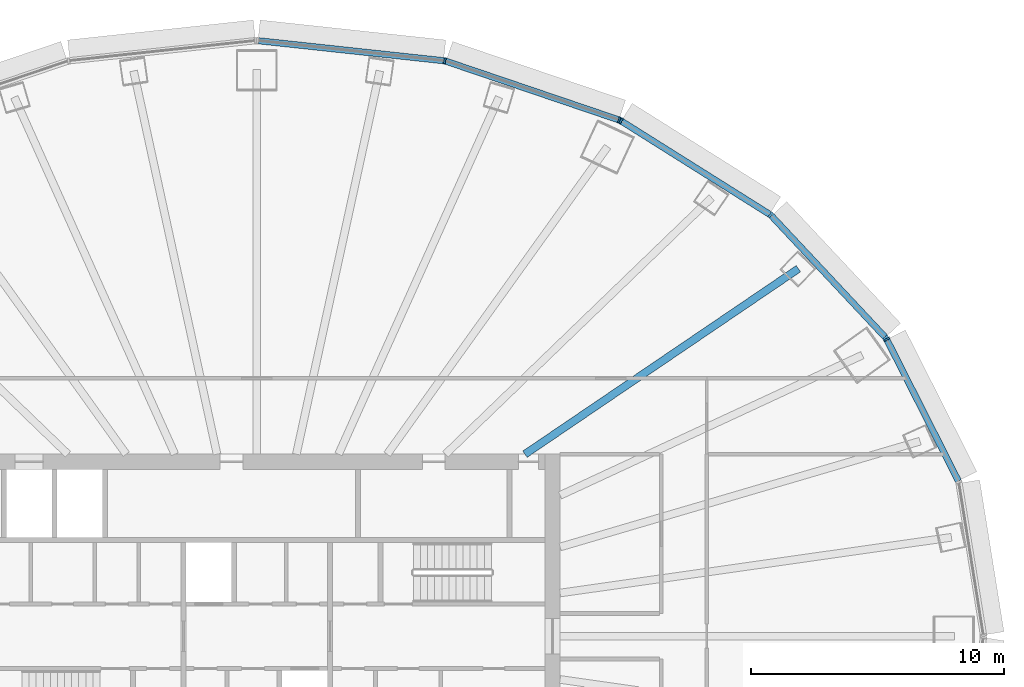
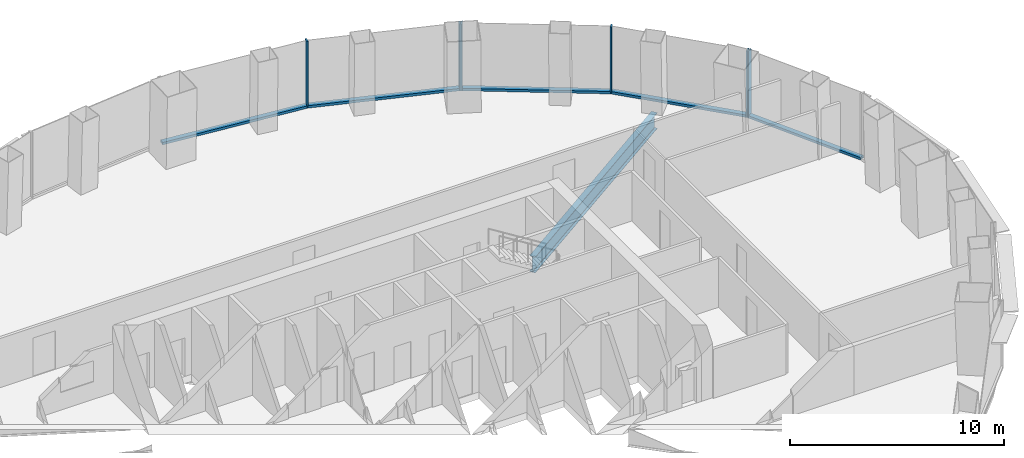
# One storey, part 5 of 13: 11 members, 1 beam, 3 elements without a shape of their own.
"""IFC4 building model written with IfcOpenShell, lengths in metres."""

from ifc_helpers import new_model, si_unit, direction, frame, origin, origin_2d, place, context, subcontext, project, spatial, rectangle, i_section, extrude, material, layer, layer_set, material_profile, profile_set, type_object, element, aggregate, save


model = new_model("IFC4")

# Units and contexts
model_context = context("Model", 3, precision=1e-05, world=origin(), true_north=direction((0.0, 1.0)))
body_context = subcontext(model_context, "Body", "Model", "MODEL_VIEW")
ifc_project = project(units=[si_unit("LENGTHUNIT", "METRE"), si_unit("AREAUNIT", "SQUARE_METRE"), si_unit("VOLUMEUNIT", "CUBIC_METRE"), si_unit("PLANEANGLEUNIT", "RADIAN"), si_unit("MASSUNIT", "GRAM", prefix="KILO")], contexts=[model_context])

# Site, building, storey
site_placement = place(None, origin())
site = spatial("IfcSite", under=ifc_project, at=site_placement, CompositionType="ELEMENT")
building_placement = place(site_placement, origin())
building = spatial("IfcBuilding", under=site, at=building_placement, Name="Siaravel Broadcast Tower", CompositionType="ELEMENT")
storey_placement = place(building_placement, frame((0.0, 0.0, 24.5)))
storey = spatial("IfcBuildingStorey", under=building, at=storey_placement, Name="L04", CompositionType="ELEMENT", Elevation=24.5)

# Beam
ifc_material_1 = material(Name="Steel S355", Category="steel")
ifc_material_profile_1 = material_profile(ifc_material_1, i_section(OverallWidth=0.30322265625, OverallDepth=0.903076171875, WebThickness=0.01513671875, FlangeThickness=0.020263671875, FilletRadius=0.01904296875, at=origin_2d()))
ifc_profile_set_1 = profile_set([ifc_material_profile_1], Name="Steel S355")
beam_type = type_object("IfcBeamType", Name="BM-UB 914x305x201", PredefinedType="BEAM", material=ifc_profile_set_1)
beam_placement = place(storey_placement, frame((21.42236328125, 14.535400390625, -0.651611328125), z_axis=(-0.82749748, -0.56146943, 0.0), x_axis=(0.56146943, -0.82749748, 0.0)))
element("IfcBeam", 1, at=beam_placement, inside=storey, type_object=beam_type, Name="Radial beam RB05", PredefinedType="BEAM", context=body_context, shape_type="SweptSolid", body=[
    extrude(i_section(OverallWidth=0.30322265625, OverallDepth=0.903076171875, WebThickness=0.01513671875, FlangeThickness=0.020263671875, FilletRadius=0.01904296875, at=origin_2d()), origin(), (0.0, 0.0, 1.0), 13.064697265625),
])

# Curtain wall, member
ifc_material_2 = material(Name="Aluminium 6063-T6", Category="aluminium")
ifc_layer = layer(ifc_material_2, 0.25)
ifc_layer_set = layer_set([ifc_layer], Name="Aluminium 6063-T6")
curtain_wall_type = type_object("IfcCurtainWallType", Name="Podium newsroom glazing", PredefinedType="NOTDEFINED", material=ifc_layer_set)
curtain_wall_1_placement = place(storey_placement, origin())
curtain_wall_1 = element("IfcCurtainWall", 2, at=curtain_wall_1_placement, inside=storey, type_object=curtain_wall_type, Name="L04 Podium newsroom glazing 01", PredefinedType="NOTDEFINED")
ifc_material_profile_2 = material_profile(ifc_material_2, rectangle(XDim=0.25, YDim=0.080078125, at=origin_2d()))
ifc_profile_set_2 = profile_set([ifc_material_profile_2], Name="Aluminium 6063-T6")
member_type_1 = type_object("IfcMemberType", Name="CW-PD mullion", PredefinedType="MULLION", material=ifc_profile_set_2)
member_1_placement = place(storey_placement, frame((24.913330078125, 11.747314453125, 0.0), z_axis=(0.0, 0.0, 1.0), x_axis=(-0.892391539, -0.451261943, 0.0)))
member_1 = element("IfcMember", 3, at=member_1_placement, type_object=member_type_1, Name="CW-PD mullion 3", PredefinedType="MULLION", context=body_context, shape_type="SweptSolid", body=[
    extrude(rectangle(XDim=0.25, YDim=0.080078125, at=origin_2d()), origin(), (0.0, 0.0, 1.0), 3.800048828125),
])

# Curtain wall, members
curtain_wall_2_placement = place(storey_placement, origin())
curtain_wall_2 = element("IfcCurtainWall", 4, at=curtain_wall_2_placement, inside=storey, type_object=curtain_wall_type, Name="L04 Podium newsroom glazing 02", PredefinedType="NOTDEFINED")
member_2_placement = place(storey_placement, frame((24.867919921875, 11.81201171875, 0.0), z_axis=(0.0, 0.0, 1.0), x_axis=(-0.729804459, -0.683655945, 0.0)))
member_2 = element("IfcMember", 5, at=member_2_placement, type_object=member_type_1, Name="CW-PD mullion 1", PredefinedType="MULLION", context=body_context, shape_type="SweptSolid", body=[
    extrude(rectangle(XDim=0.25, YDim=0.080078125, at=origin_2d()), origin(), (0.0, 0.0, 1.0), 3.800048828125),
])
member_3_placement = place(storey_placement, frame((20.3251953125, 16.661376953125, 0.0), z_axis=(0.0, 0.0, 1.0), x_axis=(-0.6362179, -0.771509419, 0.0)))
member_3 = element("IfcMember", 6, at=member_3_placement, type_object=member_type_1, Name="CW-PD mullion 2", PredefinedType="MULLION", context=body_context, shape_type="SweptSolid", body=[
    extrude(rectangle(XDim=0.25, YDim=0.080078125, at=origin_2d()), origin(), (0.0, 0.0, 1.0), 3.800048828125),
])
member_4_placement = place(storey_placement, frame((14.405029296875, 20.382568359375, 0.0), z_axis=(0.0, 0.0, 1.0), x_axis=(-0.532148584, -0.846650982, 0.0)))
member_4 = element("IfcMember", 7, at=member_4_placement, type_object=member_type_1, Name="CW-PD mullion 3", PredefinedType="MULLION", context=body_context, shape_type="SweptSolid", body=[
    extrude(rectangle(XDim=0.25, YDim=0.080078125, at=origin_2d()), origin(), (0.0, 0.0, 1.0), 3.800048828125),
])

curtain_wall_3_placement = place(storey_placement, origin())
curtain_wall_3 = element("IfcCurtainWall", 8, at=curtain_wall_3_placement, inside=storey, type_object=curtain_wall_type, Name="L04 Podium newsroom glazing 03", PredefinedType="NOTDEFINED")
member_5_placement = place(storey_placement, frame((14.333251953125, 20.416748046875, 0.0), z_axis=(0.0, 0.0, 1.0), x_axis=(-0.321300254, -0.946977374, 0.0)))
member_5 = element("IfcMember", 9, at=member_5_placement, type_object=member_type_1, Name="CW-PD mullion 1", PredefinedType="MULLION", context=body_context, shape_type="SweptSolid", body=[
    extrude(rectangle(XDim=0.25, YDim=0.080078125, at=origin_2d()), origin(), (0.0, 0.0, 1.0), 3.800048828125),
])
member_6_placement = place(storey_placement, frame((7.438720703125, 22.755859375, 0.0), z_axis=(0.0, 0.0, 1.0), x_axis=(-0.215557821, -0.976491078, 0.0)))
member_6 = element("IfcMember", 10, at=member_6_placement, type_object=member_type_1, Name="CW-PD mullion 2", PredefinedType="MULLION", context=body_context, shape_type="SweptSolid", body=[
    extrude(rectangle(XDim=0.25, YDim=0.080078125, at=origin_2d()), origin(), (0.0, 0.0, 1.0), 3.800048828125),
])

# Member
ifc_material_profile_3 = material_profile(ifc_material_2, rectangle(XDim=0.25, YDim=0.139892578125, at=origin_2d()))
ifc_profile_set_3 = profile_set([ifc_material_profile_3], Name="Aluminium 6063-T6")
member_type_2 = type_object("IfcMemberType", Name="CW-PD transom", PredefinedType="USERDEFINED", material=ifc_profile_set_3)
member_7_placement = place(storey_placement, frame((27.751220703125, 6.135498046875, 0.070068359375), z_axis=(-0.45128812, 0.892378301, 0.0), x_axis=(-0.892378301, -0.45128812, 0.0)))
member_7 = element("IfcMember", 11, at=member_7_placement, type_object=member_type_2, Name="CW-PD transom 2", ObjectType="TRANSOM", PredefinedType="USERDEFINED", context=body_context, shape_type="SweptSolid", body=[
    extrude(rectangle(XDim=0.25, YDim=0.139892578125, at=origin_2d()), origin(), (0.0, 0.0, 1.0), 6.248291015625),
])

aggregate(curtain_wall_1, [member_1, member_7])

member_8_placement = place(storey_placement, frame((24.8408203125, 11.84130859375, 0.070068359375), z_axis=(-0.683692437, 0.729770273, 0.0), x_axis=(-0.729770273, -0.683692437, 0.0)))
member_8 = element("IfcMember", 12, at=member_8_placement, type_object=member_type_2, Name="CW-PD transom 1", ObjectType="TRANSOM", PredefinedType="USERDEFINED", context=body_context, shape_type="SweptSolid", body=[
    extrude(rectangle(XDim=0.25, YDim=0.139892578125, at=origin_2d()), origin(), (0.0, 0.0, 1.0), 6.564697265625),
])

member_9_placement = place(storey_placement, frame((20.29150390625, 16.6826171875, 0.070068359375), z_axis=(-0.84665428, 0.532143336, 0.0), x_axis=(-0.532143336, -0.84665428, 0.0)))
member_9 = element("IfcMember", 13, at=member_9_placement, type_object=member_type_2, Name="CW-PD transom 2", ObjectType="TRANSOM", PredefinedType="USERDEFINED", context=body_context, shape_type="SweptSolid", body=[
    extrude(rectangle(XDim=0.25, YDim=0.139892578125, at=origin_2d()), origin(), (0.0, 0.0, 1.0), 6.91259765625),
])

aggregate(curtain_wall_2, [member_2, member_3, member_4, member_8, member_9])

member_10_placement = place(storey_placement, frame((14.29541015625, 20.429443359375, 0.070068359375), z_axis=(-0.946970963, 0.321319148, 0.0), x_axis=(-0.321319148, -0.946970963, 0.0)))
member_10 = element("IfcMember", 14, at=member_10_placement, type_object=member_type_2, Name="CW-PD transom 1", ObjectType="TRANSOM", PredefinedType="USERDEFINED", context=body_context, shape_type="SweptSolid", body=[
    extrude(rectangle(XDim=0.25, YDim=0.139892578125, at=origin_2d()), origin(), (0.0, 0.0, 1.0), 7.20068359375),
])

member_11_placement = place(storey_placement, frame((7.39892578125, 22.76025390625, 0.070068359375), z_axis=(-0.99423565, 0.10721694, 0.0), x_axis=(-0.10721694, -0.99423565, 0.0)))
member_11 = element("IfcMember", 15, at=member_11_placement, type_object=member_type_2, Name="CW-PD transom 2", ObjectType="TRANSOM", PredefinedType="USERDEFINED", context=body_context, shape_type="SweptSolid", body=[
    extrude(rectangle(XDim=0.25, YDim=0.139892578125, at=origin_2d()), origin(), (0.0, 0.0, 1.0), 7.36181640625),
])

aggregate(curtain_wall_3, [member_5, member_6, member_10, member_11])

save(model, "model.ifc")
